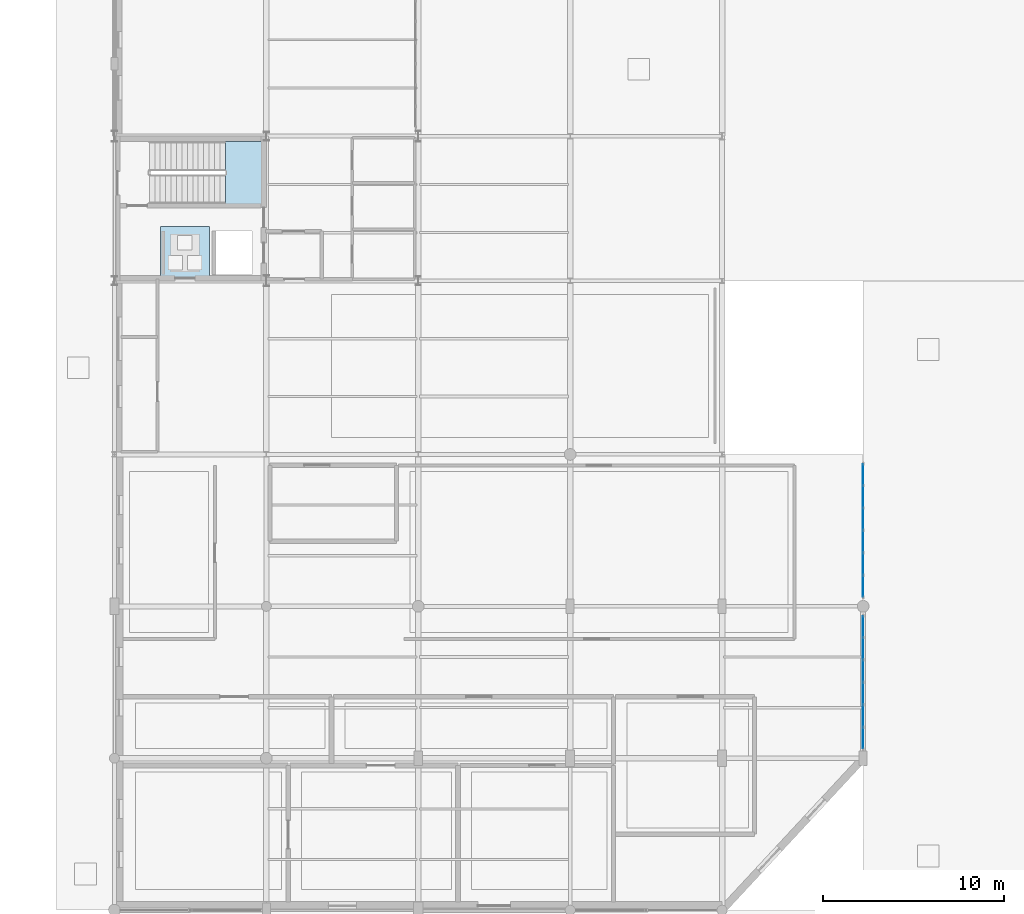
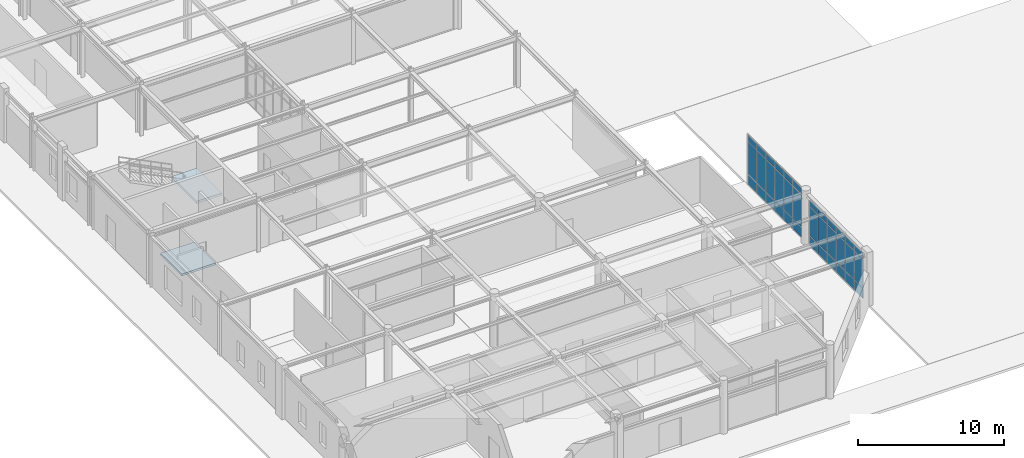
# One storey, part 59 of 101: 36 plates, 2 slabs, 3 elements without a shape of their own.
"""IFC4 building model written with IfcOpenShell, lengths in metres."""

from ifc_helpers import new_model, si_unit, derived_unit, direction, frame, origin, origin_2d, place, context, subcontext, project, spatial, polyline, rectangle, outline, extrude, material, layer, layer_set, type_object, element, aggregate, save


model = new_model("IFC4")

# Units and contexts
model_context = context("Model", 3, precision=1e-05, world=origin(), true_north=direction((0.0, 1.0)))
body_context = subcontext(model_context, "Body", "Model", "MODEL_VIEW")
ifc_project = project(units=[si_unit("LENGTHUNIT", "METRE"), si_unit("AREAUNIT", "SQUARE_METRE"), si_unit("VOLUMEUNIT", "CUBIC_METRE"), si_unit("PLANEANGLEUNIT", "RADIAN"), si_unit("MASSUNIT", "GRAM", prefix="KILO"), derived_unit("THERMALTRANSMITTANCEUNIT", [(si_unit("POWERUNIT", "WATT"), 1), (si_unit("AREAUNIT", "SQUARE_METRE"), -1), (si_unit("THERMODYNAMICTEMPERATUREUNIT", "KELVIN"), -1)])], contexts=[model_context])

# Site, building, storey
site_placement = place(None, origin())
site = spatial("IfcSite", under=ifc_project, at=site_placement, CompositionType="ELEMENT")
building_placement = place(site_placement, origin())
building = spatial("IfcBuilding", under=site, at=building_placement, Name="Yasenodar Specialist Clinic", CompositionType="ELEMENT")
storey_placement = place(building_placement, origin())
storey = spatial("IfcBuildingStorey", under=building, at=storey_placement, Name="L00", CompositionType="ELEMENT", Elevation=0.0)

# Curtain wall, plates
ifc_material_1 = material(Name="Bronze Anodized Aluminium and Triple Low-E Glass", Category="aluminium")
ifc_layer_1 = layer(ifc_material_1, 0.202880859375)
ifc_layer_set_1 = layer_set([ifc_layer_1], Name="Bronze Anodized Aluminium and Triple Low-E Glass")
curtain_wall_type = type_object("IfcCurtainWallType", Name="CW-SYS-04", PredefinedType="USERDEFINED", material=ifc_layer_set_1)
curtain_wall_1_placement = place(storey_placement, origin())
curtain_wall_1 = element("IfcCurtainWall", 1, at=curtain_wall_1_placement, inside=storey, type_object=curtain_wall_type, Name="L00 Unitised Curtain Wall 072", ObjectType="UNITISED CURTAIN WALL", PredefinedType="USERDEFINED")
ifc_material_2 = material(Name="Triple Low-E Argon Glazing", Category="glass")
ifc_layer_2 = layer(ifc_material_2, 0.028076171875)
ifc_layer_set_2 = layer_set([ifc_layer_2], Name="Triple Low-E Argon Glazing")
plate_type_1 = type_object("IfcPlateType", Name="CW-PAN-1", PredefinedType="CURTAIN_PANEL", material=ifc_layer_set_2)
plate_1_placement = place(storey_placement, frame((41.39990234375, 24.0849609375, 0.06005859375), z_axis=(0.0, 0.0, 1.0), x_axis=(0.0, -1.0, 0.0)))
plate_1 = element("IfcPlate", 2, at=plate_1_placement, type_object=plate_type_1, Name="CW-04 panel 1.1", PredefinedType="CURTAIN_PANEL", context=body_context, shape_type="SweptSolid", body=[
    extrude(rectangle(XDim=1.14990234375, YDim=0.028076171875, at=origin_2d()), origin(), (0.0, 0.0, 1.0), 0.81005859375),
])
plate_2_placement = place(storey_placement, frame((41.39990234375, 24.0849609375, 0.929931640625), z_axis=(0.0, 0.0, 1.0), x_axis=(0.0, -1.0, 0.0)))
plate_2 = element("IfcPlate", 3, at=plate_2_placement, type_object=plate_type_1, Name="CW-04 panel 1.2", PredefinedType="CURTAIN_PANEL", context=body_context, shape_type="SweptSolid", body=[
    extrude(rectangle(XDim=1.14990234375, YDim=0.028076171875, at=origin_2d()), origin(), (0.0, 0.0, 1.0), 2.669921875),
])
plate_3_placement = place(storey_placement, frame((41.39990234375, 24.0849609375, 3.66015625), z_axis=(0.0, 0.0, 1.0), x_axis=(0.0, -1.0, 0.0)))
plate_3 = element("IfcPlate", 4, at=plate_3_placement, type_object=plate_type_1, Name="CW-04 panel 1.3", PredefinedType="CURTAIN_PANEL", context=body_context, shape_type="SweptSolid", body=[
    extrude(rectangle(XDim=1.14990234375, YDim=0.028076171875, at=origin_2d()), origin(), (0.0, 0.0, 1.0), 0.510009765625),
])
plate_4_placement = place(storey_placement, frame((41.39990234375, 22.860107421875, 0.06005859375), z_axis=(0.0, 0.0, 1.0), x_axis=(0.0, -1.0, 0.0)))
plate_4 = element("IfcPlate", 5, at=plate_4_placement, type_object=plate_type_1, Name="CW-04 panel 2.1", PredefinedType="CURTAIN_PANEL", context=body_context, shape_type="SweptSolid", body=[
    extrude(rectangle(XDim=1.179931640625, YDim=0.028076171875, at=origin_2d()), origin(), (0.0, 0.0, 1.0), 0.81005859375),
])
plate_5_placement = place(storey_placement, frame((41.39990234375, 22.860107421875, 0.929931640625), z_axis=(0.0, 0.0, 1.0), x_axis=(0.0, -1.0, 0.0)))
plate_5 = element("IfcPlate", 6, at=plate_5_placement, type_object=plate_type_1, Name="CW-04 panel 2.2", PredefinedType="CURTAIN_PANEL", context=body_context, shape_type="SweptSolid", body=[
    extrude(rectangle(XDim=1.179931640625, YDim=0.028076171875, at=origin_2d()), origin(), (0.0, 0.0, 1.0), 2.669921875),
])
plate_6_placement = place(storey_placement, frame((41.39990234375, 22.860107421875, 3.66015625), z_axis=(0.0, 0.0, 1.0), x_axis=(0.0, -1.0, 0.0)))
plate_6 = element("IfcPlate", 7, at=plate_6_placement, type_object=plate_type_1, Name="CW-04 panel 2.3", PredefinedType="CURTAIN_PANEL", context=body_context, shape_type="SweptSolid", body=[
    extrude(rectangle(XDim=1.179931640625, YDim=0.028076171875, at=origin_2d()), origin(), (0.0, 0.0, 1.0), 0.510009765625),
])
plate_7_placement = place(storey_placement, frame((41.39990234375, 21.6201171875, 0.06005859375), z_axis=(0.0, 0.0, 1.0), x_axis=(0.0, -1.0, 0.0)))
plate_7 = element("IfcPlate", 8, at=plate_7_placement, type_object=plate_type_1, Name="CW-04 panel 3.1", PredefinedType="CURTAIN_PANEL", context=body_context, shape_type="SweptSolid", body=[
    extrude(rectangle(XDim=1.179931640625, YDim=0.028076171875, at=origin_2d()), origin(), (0.0, 0.0, 1.0), 0.81005859375),
])
plate_8_placement = place(storey_placement, frame((41.39990234375, 21.6201171875, 0.929931640625), z_axis=(0.0, 0.0, 1.0), x_axis=(0.0, -1.0, 0.0)))
plate_8 = element("IfcPlate", 9, at=plate_8_placement, type_object=plate_type_1, Name="CW-04 panel 3.2", PredefinedType="CURTAIN_PANEL", context=body_context, shape_type="SweptSolid", body=[
    extrude(rectangle(XDim=1.179931640625, YDim=0.028076171875, at=origin_2d()), origin(), (0.0, 0.0, 1.0), 2.669921875),
])
plate_9_placement = place(storey_placement, frame((41.39990234375, 21.6201171875, 3.66015625), z_axis=(0.0, 0.0, 1.0), x_axis=(0.0, -1.0, 0.0)))
plate_9 = element("IfcPlate", 10, at=plate_9_placement, type_object=plate_type_1, Name="CW-04 panel 3.3", PredefinedType="CURTAIN_PANEL", context=body_context, shape_type="SweptSolid", body=[
    extrude(rectangle(XDim=1.179931640625, YDim=0.028076171875, at=origin_2d()), origin(), (0.0, 0.0, 1.0), 0.510009765625),
])
plate_10_placement = place(storey_placement, frame((41.39990234375, 20.3798828125, 0.06005859375), z_axis=(0.0, 0.0, 1.0), x_axis=(0.0, -1.0, 0.0)))
plate_10 = element("IfcPlate", 11, at=plate_10_placement, type_object=plate_type_1, Name="CW-04 panel 4.1", PredefinedType="CURTAIN_PANEL", context=body_context, shape_type="SweptSolid", body=[
    extrude(rectangle(XDim=1.179931640625, YDim=0.028076171875, at=origin_2d()), origin(), (0.0, 0.0, 1.0), 0.81005859375),
])
plate_11_placement = place(storey_placement, frame((41.39990234375, 20.3798828125, 0.929931640625), z_axis=(0.0, 0.0, 1.0), x_axis=(0.0, -1.0, 0.0)))
plate_11 = element("IfcPlate", 12, at=plate_11_placement, type_object=plate_type_1, Name="CW-04 panel 4.2", PredefinedType="CURTAIN_PANEL", context=body_context, shape_type="SweptSolid", body=[
    extrude(rectangle(XDim=1.179931640625, YDim=0.028076171875, at=origin_2d()), origin(), (0.0, 0.0, 1.0), 2.669921875),
])
plate_12_placement = place(storey_placement, frame((41.39990234375, 20.3798828125, 3.66015625), z_axis=(0.0, 0.0, 1.0), x_axis=(0.0, -1.0, 0.0)))
plate_12 = element("IfcPlate", 13, at=plate_12_placement, type_object=plate_type_1, Name="CW-04 panel 4.3", PredefinedType="CURTAIN_PANEL", context=body_context, shape_type="SweptSolid", body=[
    extrude(rectangle(XDim=1.179931640625, YDim=0.028076171875, at=origin_2d()), origin(), (0.0, 0.0, 1.0), 0.510009765625),
])
plate_13_placement = place(storey_placement, frame((41.39990234375, 19.139892578125, 0.06005859375), z_axis=(0.0, 0.0, 1.0), x_axis=(0.0, -1.0, 0.0)))
plate_13 = element("IfcPlate", 14, at=plate_13_placement, type_object=plate_type_1, Name="CW-04 panel 5.1", PredefinedType="CURTAIN_PANEL", context=body_context, shape_type="SweptSolid", body=[
    extrude(rectangle(XDim=1.179931640625, YDim=0.028076171875, at=origin_2d()), origin(), (0.0, 0.0, 1.0), 0.81005859375),
])
plate_14_placement = place(storey_placement, frame((41.39990234375, 19.139892578125, 0.929931640625), z_axis=(0.0, 0.0, 1.0), x_axis=(0.0, -1.0, 0.0)))
plate_14 = element("IfcPlate", 15, at=plate_14_placement, type_object=plate_type_1, Name="CW-04 panel 5.2", PredefinedType="CURTAIN_PANEL", context=body_context, shape_type="SweptSolid", body=[
    extrude(rectangle(XDim=1.179931640625, YDim=0.028076171875, at=origin_2d()), origin(), (0.0, 0.0, 1.0), 2.669921875),
])
plate_15_placement = place(storey_placement, frame((41.39990234375, 19.139892578125, 3.66015625), z_axis=(0.0, 0.0, 1.0), x_axis=(0.0, -1.0, 0.0)))
plate_15 = element("IfcPlate", 16, at=plate_15_placement, type_object=plate_type_1, Name="CW-04 panel 5.3", PredefinedType="CURTAIN_PANEL", context=body_context, shape_type="SweptSolid", body=[
    extrude(rectangle(XDim=1.179931640625, YDim=0.028076171875, at=origin_2d()), origin(), (0.0, 0.0, 1.0), 0.510009765625),
])
plate_16_placement = place(storey_placement, frame((41.39990234375, 17.9150390625, 0.06005859375), z_axis=(0.0, 0.0, 1.0), x_axis=(0.0, -1.0, 0.0)))
plate_16 = element("IfcPlate", 17, at=plate_16_placement, type_object=plate_type_1, Name="CW-04 panel 6.1", PredefinedType="CURTAIN_PANEL", context=body_context, shape_type="SweptSolid", body=[
    extrude(rectangle(XDim=1.14990234375, YDim=0.028076171875, at=origin_2d()), origin(), (0.0, 0.0, 1.0), 0.81005859375),
])
plate_17_placement = place(storey_placement, frame((41.39990234375, 17.9150390625, 0.929931640625), z_axis=(0.0, 0.0, 1.0), x_axis=(0.0, -1.0, 0.0)))
plate_17 = element("IfcPlate", 18, at=plate_17_placement, type_object=plate_type_1, Name="CW-04 panel 6.2", PredefinedType="CURTAIN_PANEL", context=body_context, shape_type="SweptSolid", body=[
    extrude(rectangle(XDim=1.14990234375, YDim=0.028076171875, at=origin_2d()), origin(), (0.0, 0.0, 1.0), 2.669921875),
])
plate_18_placement = place(storey_placement, frame((41.39990234375, 17.9150390625, 3.66015625), z_axis=(0.0, 0.0, 1.0), x_axis=(0.0, -1.0, 0.0)))
plate_18 = element("IfcPlate", 19, at=plate_18_placement, type_object=plate_type_1, Name="CW-04 panel 6.3", PredefinedType="CURTAIN_PANEL", context=body_context, shape_type="SweptSolid", body=[
    extrude(rectangle(XDim=1.14990234375, YDim=0.028076171875, at=origin_2d()), origin(), (0.0, 0.0, 1.0), 0.510009765625),
])
aggregate(curtain_wall_1, [plate_1, plate_2, plate_3, plate_4, plate_5, plate_6, plate_7, plate_8, plate_9, plate_10, plate_11, plate_12, plate_13, plate_14, plate_15, plate_16, plate_17, plate_18])

curtain_wall_2_placement = place(storey_placement, origin())
curtain_wall_2 = element("IfcCurtainWall", 20, at=curtain_wall_2_placement, inside=storey, type_object=curtain_wall_type, Name="L00 Unitised Curtain Wall 073", ObjectType="UNITISED CURTAIN WALL", PredefinedType="USERDEFINED")
ifc_layer_3 = layer(ifc_material_2, 0.033935546875)
ifc_layer_set_3 = layer_set([ifc_layer_3], Name="Triple Low-E Argon Glazing")
plate_type_2 = type_object("IfcPlateType", Name="CW-PAN-2", PredefinedType="CURTAIN_PANEL", material=ifc_layer_set_3)
plate_19_placement = place(storey_placement, frame((41.39990234375, 15.68505859375, 0.06005859375), z_axis=(0.0, 0.0, 1.0), x_axis=(0.0, -1.0, 0.0)))
plate_19 = element("IfcPlate", 21, at=plate_19_placement, type_object=plate_type_2, Name="CW-04 panel 1.1", PredefinedType="CURTAIN_PANEL", context=body_context, shape_type="SweptSolid", body=[
    extrude(rectangle(XDim=1.14990234375, YDim=0.033935546875, at=origin_2d()), origin(), (0.0, 0.0, 1.0), 0.81005859375),
])
plate_20_placement = place(storey_placement, frame((41.39990234375, 15.68505859375, 0.929931640625), z_axis=(0.0, 0.0, 1.0), x_axis=(0.0, -1.0, 0.0)))
plate_20 = element("IfcPlate", 22, at=plate_20_placement, type_object=plate_type_2, Name="CW-04 panel 1.2", PredefinedType="CURTAIN_PANEL", context=body_context, shape_type="SweptSolid", body=[
    extrude(rectangle(XDim=1.14990234375, YDim=0.033935546875, at=origin_2d()), origin(), (0.0, 0.0, 1.0), 2.35302734375),
])
plate_21_placement = place(storey_placement, frame((41.39990234375, 15.68505859375, 3.3427734375), z_axis=(0.0, 0.0, 1.0), x_axis=(0.0, -1.0, 0.0)))
plate_21 = element("IfcPlate", 23, at=plate_21_placement, type_object=plate_type_2, Name="CW-04 panel 1.3", PredefinedType="CURTAIN_PANEL", context=body_context, shape_type="SweptSolid", body=[
    extrude(rectangle(XDim=1.14990234375, YDim=0.033935546875, at=origin_2d()), origin(), (0.0, 0.0, 1.0), 0.510009765625),
])
plate_22_placement = place(storey_placement, frame((41.39990234375, 14.4599609375, 0.06005859375), z_axis=(0.0, 0.0, 1.0), x_axis=(0.0, -1.0, 0.0)))
plate_22 = element("IfcPlate", 24, at=plate_22_placement, type_object=plate_type_2, Name="CW-04 panel 2.1", PredefinedType="CURTAIN_PANEL", context=body_context, shape_type="SweptSolid", body=[
    extrude(rectangle(XDim=1.179931640625, YDim=0.033935546875, at=origin_2d()), origin(), (0.0, 0.0, 1.0), 0.81005859375),
])
plate_23_placement = place(storey_placement, frame((41.39990234375, 14.4599609375, 0.929931640625), z_axis=(0.0, 0.0, 1.0), x_axis=(0.0, -1.0, 0.0)))
plate_23 = element("IfcPlate", 25, at=plate_23_placement, type_object=plate_type_2, Name="CW-04 panel 2.2", PredefinedType="CURTAIN_PANEL", context=body_context, shape_type="SweptSolid", body=[
    extrude(rectangle(XDim=1.179931640625, YDim=0.033935546875, at=origin_2d()), origin(), (0.0, 0.0, 1.0), 2.35302734375),
])
plate_24_placement = place(storey_placement, frame((41.39990234375, 14.4599609375, 3.3427734375), z_axis=(0.0, 0.0, 1.0), x_axis=(0.0, -1.0, 0.0)))
plate_24 = element("IfcPlate", 26, at=plate_24_placement, type_object=plate_type_2, Name="CW-04 panel 2.3", PredefinedType="CURTAIN_PANEL", context=body_context, shape_type="SweptSolid", body=[
    extrude(rectangle(XDim=1.179931640625, YDim=0.033935546875, at=origin_2d()), origin(), (0.0, 0.0, 1.0), 0.510009765625),
])
plate_25_placement = place(storey_placement, frame((41.39990234375, 13.219970703125, 0.06005859375), z_axis=(0.0, 0.0, 1.0), x_axis=(0.0, -1.0, 0.0)))
plate_25 = element("IfcPlate", 27, at=plate_25_placement, type_object=plate_type_2, Name="CW-04 panel 3.1", PredefinedType="CURTAIN_PANEL", context=body_context, shape_type="SweptSolid", body=[
    extrude(rectangle(XDim=1.179931640625, YDim=0.033935546875, at=origin_2d()), origin(), (0.0, 0.0, 1.0), 0.81005859375),
])
plate_26_placement = place(storey_placement, frame((41.39990234375, 13.219970703125, 0.929931640625), z_axis=(0.0, 0.0, 1.0), x_axis=(0.0, -1.0, 0.0)))
plate_26 = element("IfcPlate", 28, at=plate_26_placement, type_object=plate_type_2, Name="CW-04 panel 3.2", PredefinedType="CURTAIN_PANEL", context=body_context, shape_type="SweptSolid", body=[
    extrude(rectangle(XDim=1.179931640625, YDim=0.033935546875, at=origin_2d()), origin(), (0.0, 0.0, 1.0), 2.35302734375),
])
plate_27_placement = place(storey_placement, frame((41.39990234375, 13.219970703125, 3.3427734375), z_axis=(0.0, 0.0, 1.0), x_axis=(0.0, -1.0, 0.0)))
plate_27 = element("IfcPlate", 29, at=plate_27_placement, type_object=plate_type_2, Name="CW-04 panel 3.3", PredefinedType="CURTAIN_PANEL", context=body_context, shape_type="SweptSolid", body=[
    extrude(rectangle(XDim=1.179931640625, YDim=0.033935546875, at=origin_2d()), origin(), (0.0, 0.0, 1.0), 0.510009765625),
])
plate_28_placement = place(storey_placement, frame((41.39990234375, 11.97998046875, 0.06005859375), z_axis=(0.0, 0.0, 1.0), x_axis=(0.0, -1.0, 0.0)))
plate_28 = element("IfcPlate", 30, at=plate_28_placement, type_object=plate_type_2, Name="CW-04 panel 4.1", PredefinedType="CURTAIN_PANEL", context=body_context, shape_type="SweptSolid", body=[
    extrude(rectangle(XDim=1.179931640625, YDim=0.033935546875, at=origin_2d()), origin(), (0.0, 0.0, 1.0), 0.81005859375),
])
plate_29_placement = place(storey_placement, frame((41.39990234375, 11.97998046875, 0.929931640625), z_axis=(0.0, 0.0, 1.0), x_axis=(0.0, -1.0, 0.0)))
plate_29 = element("IfcPlate", 31, at=plate_29_placement, type_object=plate_type_2, Name="CW-04 panel 4.2", PredefinedType="CURTAIN_PANEL", context=body_context, shape_type="SweptSolid", body=[
    extrude(rectangle(XDim=1.179931640625, YDim=0.033935546875, at=origin_2d()), origin(), (0.0, 0.0, 1.0), 2.35302734375),
])
plate_30_placement = place(storey_placement, frame((41.39990234375, 11.97998046875, 3.3427734375), z_axis=(0.0, 0.0, 1.0), x_axis=(0.0, -1.0, 0.0)))
plate_30 = element("IfcPlate", 32, at=plate_30_placement, type_object=plate_type_2, Name="CW-04 panel 4.3", PredefinedType="CURTAIN_PANEL", context=body_context, shape_type="SweptSolid", body=[
    extrude(rectangle(XDim=1.179931640625, YDim=0.033935546875, at=origin_2d()), origin(), (0.0, 0.0, 1.0), 0.510009765625),
])
plate_31_placement = place(storey_placement, frame((41.39990234375, 10.739990234375, 0.06005859375), z_axis=(0.0, 0.0, 1.0), x_axis=(0.0, -1.0, 0.0)))
plate_31 = element("IfcPlate", 33, at=plate_31_placement, type_object=plate_type_2, Name="CW-04 panel 5.1", PredefinedType="CURTAIN_PANEL", context=body_context, shape_type="SweptSolid", body=[
    extrude(rectangle(XDim=1.179931640625, YDim=0.033935546875, at=origin_2d()), origin(), (0.0, 0.0, 1.0), 0.81005859375),
])
plate_32_placement = place(storey_placement, frame((41.39990234375, 10.739990234375, 0.929931640625), z_axis=(0.0, 0.0, 1.0), x_axis=(0.0, -1.0, 0.0)))
plate_32 = element("IfcPlate", 34, at=plate_32_placement, type_object=plate_type_2, Name="CW-04 panel 5.2", PredefinedType="CURTAIN_PANEL", context=body_context, shape_type="SweptSolid", body=[
    extrude(rectangle(XDim=1.179931640625, YDim=0.033935546875, at=origin_2d()), origin(), (0.0, 0.0, 1.0), 2.35302734375),
])
plate_33_placement = place(storey_placement, frame((41.39990234375, 10.739990234375, 3.3427734375), z_axis=(0.0, 0.0, 1.0), x_axis=(0.0, -1.0, 0.0)))
plate_33 = element("IfcPlate", 35, at=plate_33_placement, type_object=plate_type_2, Name="CW-04 panel 5.3", PredefinedType="CURTAIN_PANEL", context=body_context, shape_type="SweptSolid", body=[
    extrude(rectangle(XDim=1.179931640625, YDim=0.033935546875, at=origin_2d()), origin(), (0.0, 0.0, 1.0), 0.510009765625),
])
plate_34_placement = place(storey_placement, frame((41.39990234375, 9.514892578125, 0.06005859375), z_axis=(0.0, 0.0, 1.0), x_axis=(0.0, -1.0, 0.0)))
plate_34 = element("IfcPlate", 36, at=plate_34_placement, type_object=plate_type_2, Name="CW-04 panel 6.1", PredefinedType="CURTAIN_PANEL", context=body_context, shape_type="SweptSolid", body=[
    extrude(rectangle(XDim=1.14990234375, YDim=0.033935546875, at=origin_2d()), origin(), (0.0, 0.0, 1.0), 0.81005859375),
])
plate_35_placement = place(storey_placement, frame((41.39990234375, 9.514892578125, 0.929931640625), z_axis=(0.0, 0.0, 1.0), x_axis=(0.0, -1.0, 0.0)))
plate_35 = element("IfcPlate", 37, at=plate_35_placement, type_object=plate_type_2, Name="CW-04 panel 6.2", PredefinedType="CURTAIN_PANEL", context=body_context, shape_type="SweptSolid", body=[
    extrude(rectangle(XDim=1.14990234375, YDim=0.033935546875, at=origin_2d()), origin(), (0.0, 0.0, 1.0), 2.35302734375),
])
plate_36_placement = place(storey_placement, frame((41.39990234375, 9.514892578125, 3.3427734375), z_axis=(0.0, 0.0, 1.0), x_axis=(0.0, -1.0, 0.0)))
plate_36 = element("IfcPlate", 38, at=plate_36_placement, type_object=plate_type_2, Name="CW-04 panel 6.3", PredefinedType="CURTAIN_PANEL", context=body_context, shape_type="SweptSolid", body=[
    extrude(rectangle(XDim=1.14990234375, YDim=0.033935546875, at=origin_2d()), origin(), (0.0, 0.0, 1.0), 0.510009765625),
])
aggregate(curtain_wall_2, [plate_19, plate_20, plate_21, plate_22, plate_23, plate_24, plate_25, plate_26, plate_27, plate_28, plate_29, plate_30, plate_31, plate_32, plate_33, plate_34, plate_35, plate_36])

# Slab
ifc_material_3 = material(Name="Concrete C30/37", Category="concrete")
ifc_layer_4 = layer(ifc_material_3, 0.300048828125)
ifc_layer_set_4 = layer_set([ifc_layer_4], Name="Concrete C30/37")
slab_type_1 = type_object("IfcSlabType", Name="SLB-BASE-300", PredefinedType="BASESLAB", material=ifc_layer_set_4)
slab_1_placement = place(storey_placement, frame((0.0, 0.0, -0.219970703125)))
element("IfcSlab", 39, at=slab_1_placement, inside=storey, type_object=slab_type_1, Name="LF-05 Lift Pit Base Slab", PredefinedType="BASESLAB", context=body_context, shape_type="SweptSolid", body=[
    extrude(outline(polyline([(2.550048828125, 34.89990234375), (5.25, 34.89990234375), (5.25, 37.800048828125), (2.550048828125, 37.800048828125), (2.550048828125, 34.89990234375)])), origin(), (0.0, 0.0, 1.0), 0.169921875),
])

# Stair, slab
stair_type = type_object("IfcStairType", Name="ST-DOG-C1-30", PredefinedType="HALF_TURN_STAIR", material=ifc_material_3)
stair_placement = place(storey_placement, origin())
stair = element("IfcStair", 40, at=stair_placement, inside=storey, type_object=stair_type, Name="L00 Core C1 Exit Stair ST-01", PredefinedType="HALF_TURN_STAIR")
ifc_layer_5 = layer(ifc_material_3, 0.199951171875)
ifc_layer_set_5 = layer_set([ifc_layer_5], Name="Concrete C30/37")
slab_type_2 = type_object("IfcSlabType", Name="SLB-LND-200", PredefinedType="LANDING", material=ifc_layer_set_5)
slab_2_placement = place(storey_placement, frame((0.0, 0.0, 2.050048828125)))
slab_2 = element("IfcSlab", 41, at=slab_2_placement, type_object=slab_type_2, Name="ST-01 landing 1", PredefinedType="LANDING", context=body_context, shape_type="SweptSolid", body=[
    extrude(outline(polyline([(6.1298828125, 39.06005859375), (8.1201171875, 39.06005859375), (8.1201171875, 42.510009765625), (6.1298828125, 42.510009765625), (6.1298828125, 39.06005859375)])), origin(), (0.0, 0.0, 1.0), 0.199951171875),
])
aggregate(stair, [slab_2])

save(model, "model.ifc")
